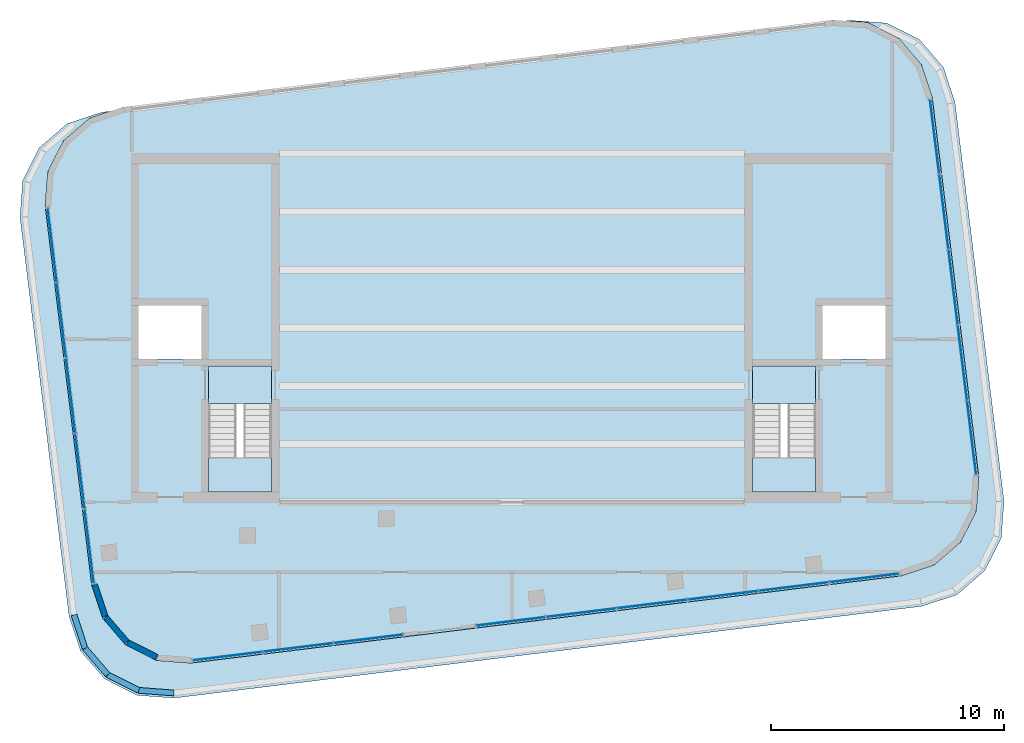
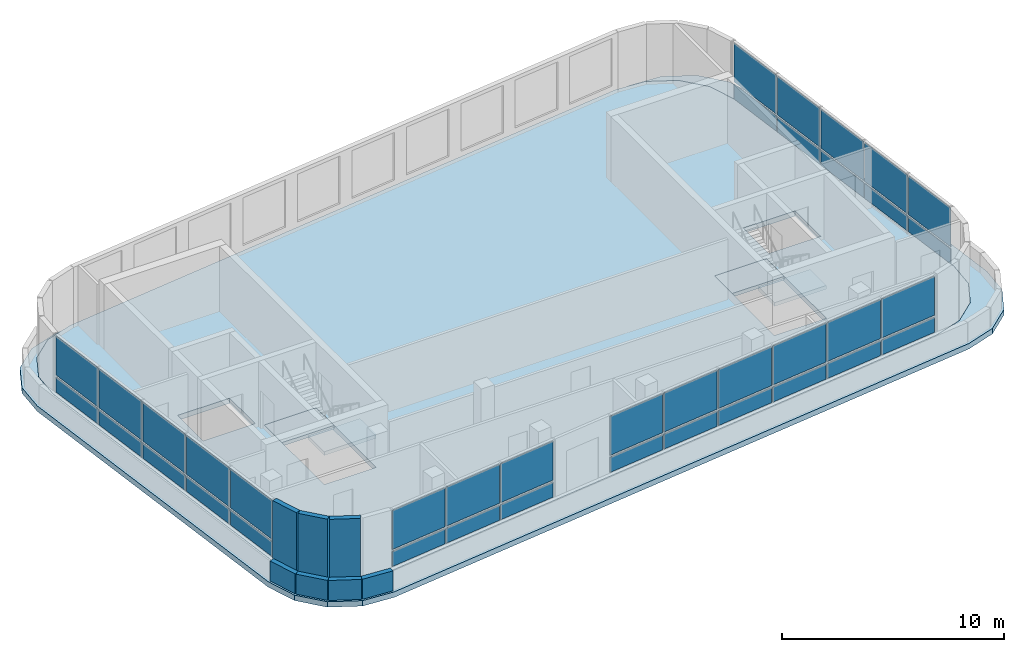
# One storey, part 3 of 7: 38 plates, 7 walls, 6 slabs, 6 elements without a shape of their own.
"""IFC4 building model written with IfcOpenShell, lengths in metres."""

import ifcopenshell
import ifcopenshell.guid

model = None  # the IFC model being written
_history = None  # IfcOwnerHistory: only IFC2X3 demands one
_inside = {}  # id of a spatial element -> (the spatial element, [elements in it])
_under = {}  # id of a project, library or spatial element -> (it, [spatial elements below it])
_declared = {}  # id of a project -> (the project, [libraries it declares])
_typed = {}  # id of a type object -> (the type object, [elements of that type])
_made_of = {}  # id of a material, layer set ... -> (it, [elements and type objects made of it])


def new_model(schema):
    """Start an empty IFC model of exactly this schema.

    Asked for "IFC4X3", IfcOpenShell would pick the latest addendum, in which some entities
    have other attributes; the version numbers below select the first issue.
    IFC2X3 requires an IfcOwnerHistory on every rooted entity: one is made here for all.
    """
    global model, _history
    if schema == "IFC4X3":
        model = ifcopenshell.file(schema_version=(4, 3, 0, 0))
    else:
        model = ifcopenshell.file(schema=schema)
    _inside.clear()
    _under.clear()
    _declared.clear()
    _typed.clear()
    _made_of.clear()
    _history = None
    if model.schema == "IFC2X3":
        org = make("IfcOrganization", Name="unknown")
        user = make(
            "IfcPersonAndOrganization",
            ThePerson=make("IfcPerson", FamilyName="unknown"),
            TheOrganization=org,
        )
        app = make(
            "IfcApplication",
            ApplicationDeveloper=org,
            Version="unknown",
            ApplicationFullName="unknown",
            ApplicationIdentifier="unknown",
        )
        _history = make(
            "IfcOwnerHistory",
            OwningUser=user,
            OwningApplication=app,
            ChangeAction="ADDED",
            CreationDate=0,
        )
    return model


def make(cls, **values):
    """One entity of the class cls with the attributes given. An attribute that is None is left unset."""
    return model.create_entity(
        cls, **{name: value for name, value in values.items() if value is not None}
    )


def rooted(cls, **values):
    """An entity with a GlobalId (a new one), such as an element, a storey or a relation."""
    return make(cls, GlobalId=ifcopenshell.guid.new(), OwnerHistory=_history, **values)


def si_unit(unit_type, name, prefix=None):
    """IfcSIUnit, for example si_unit("LENGTHUNIT", "METRE", prefix="MILLI")."""
    return make("IfcSIUnit", UnitType=unit_type, Prefix=prefix, Name=name)


def assignment(units):
    """IfcUnitAssignment: the units of a project."""
    return None if units is None else make("IfcUnitAssignment", Units=units)


def point(xyz):
    """IfcCartesianPoint."""
    return None if xyz is None else make("IfcCartesianPoint", Coordinates=xyz)


def direction(xyz):
    """IfcDirection."""
    return None if xyz is None else make("IfcDirection", DirectionRatios=xyz)


def frame(location, z_axis=None, x_axis=None):
    """IfcAxis2Placement3D, a coordinate frame: its origin and axes. An axis left out is left unset."""
    return make(
        "IfcAxis2Placement3D",
        Location=point(location),
        Axis=direction(z_axis),
        RefDirection=direction(x_axis),
    )


def frame_2d(location, x_axis=None):
    """IfcAxis2Placement2D, a coordinate frame in the plane: its origin and x axis."""
    return make(
        "IfcAxis2Placement2D", Location=point(location), RefDirection=direction(x_axis)
    )


def origin():
    """The frame at (0, 0, 0) with its axes left unset."""
    return frame((0.0, 0.0, 0.0))


def origin_2d():
    """The frame at (0, 0) in the plane with its x axis left unset."""
    return frame_2d((0.0, 0.0))


def place(relative_to, where):
    """IfcLocalPlacement: puts the frame where relative to a parent placement (None: the world)."""
    return make(
        "IfcLocalPlacement", PlacementRelTo=relative_to, RelativePlacement=where
    )


def context(
    kind, dimensions, precision=None, world=None, true_north=None, identifier=None
):
    """IfcGeometricRepresentationContext, for example the 3D "Model" context."""
    return make(
        "IfcGeometricRepresentationContext",
        ContextIdentifier=identifier,
        ContextType=kind,
        CoordinateSpaceDimension=dimensions,
        Precision=precision,
        WorldCoordinateSystem=world,
        TrueNorth=true_north,
    )


def subcontext(parent, identifier, kind, view, scale=None):
    """IfcGeometricRepresentationSubContext, for example "Body" below "Model"."""
    return make(
        "IfcGeometricRepresentationSubContext",
        ContextIdentifier=identifier,
        ContextType=kind,
        ParentContext=parent,
        TargetScale=scale,
        TargetView=view,
    )


def project(units=None, contexts=None):
    """IfcProject with its units and contexts."""
    return rooted(
        "IfcProject",
        Name="project",
        RepresentationContexts=contexts,
        UnitsInContext=assignment(units),
    )


def spatial(cls, under=None, at=None, **own):
    """A site, building, storey or space (cls), placed at a placement, below another one or the project."""
    s = rooted(cls, ObjectPlacement=at, **own)
    if under is not None:
        _under.setdefault(under.id(), (under, []))[1].append(s)
    return s


def polyline(points):
    """IfcPolyline through the points."""
    return make("IfcPolyline", Points=[point(p) for p in points])


def profile(cls, at=None, kind="AREA", **sizes):
    """A parametric profile (cls). Its sizes go by their IFC names, for example OverallWidth=200.0."""
    return make(cls, ProfileType=kind, Position=at, **sizes)


def rectangle(**sizes):
    """IfcRectangleProfileDef."""
    return profile("IfcRectangleProfileDef", **sizes)


def outline(outer, holes=None, kind="AREA"):
    """IfcArbitraryClosedProfileDef: a profile drawn as a closed curve; with holes, ...WithVoids."""
    if holes is None:
        return make("IfcArbitraryClosedProfileDef", ProfileType=kind, OuterCurve=outer)
    return make(
        "IfcArbitraryProfileDefWithVoids",
        ProfileType=kind,
        OuterCurve=outer,
        InnerCurves=holes,
    )


def extrude(swept, where, along, depth):
    """IfcExtrudedAreaSolid: the profile swept, set in the frame where, extruded along a direction by depth."""
    return make(
        "IfcExtrudedAreaSolid",
        SweptArea=swept,
        Position=where,
        ExtrudedDirection=direction(along),
        Depth=depth,
    )


def shape(context_of_items, identifier, shape_type, items):
    """IfcShapeRepresentation: the items that make up one representation, for example the "Body"."""
    return make(
        "IfcShapeRepresentation",
        ContextOfItems=context_of_items,
        RepresentationIdentifier=identifier,
        RepresentationType=shape_type,
        Items=items,
    )


def material(Name=None, Category=None):
    """IfcMaterial."""
    return make("IfcMaterial", Name=Name, Category=Category)


def layer(
    of_material, thickness, ventilated=None, Name=None, Category=None, Priority=None
):
    """IfcMaterialLayer: one layer of a wall or slab, of a material (None: an air gap)."""
    return make(
        "IfcMaterialLayer",
        Material=of_material,
        LayerThickness=thickness,
        IsVentilated=ventilated,
        Name=Name,
        Category=Category,
        Priority=Priority,
    )


def layer_set(layers, Name=None):
    """IfcMaterialLayerSet."""
    return make("IfcMaterialLayerSet", MaterialLayers=layers, LayerSetName=Name)


def made_of(thing, what):
    """Note that an element or type object is made of a material, layer set ...; save() writes the relation."""
    if what is not None:
        _made_of.setdefault(what.id(), (what, []))[1].append(thing)
    return thing


def type_object(cls, material=None, **own):
    """A type object (cls), such as IfcWallType, which elements share."""
    return made_of(rooted(cls, **own), material)


def element(
    cls,
    number,
    at=None,
    inside=None,
    cuts=None,
    type_object=None,
    material=None,
    context=None,
    identifier="Body",
    shape_type=None,
    held_by="IfcProductDefinitionShape",
    body=None,
    shapes=None,
    **own,
):
    """One element of the class cls, such as IfcWall. Its Tag is "e" and its number.

    at: its placement. inside: the storey or other place that contains it. cuts: it is an
    opening in that element (IfcRelVoidsElement). A single representation is given by context,
    identifier, shape_type and body (its items); several are given by shapes. held_by: the class
    of the entity that holds the representations. save() writes the other relations.
    """
    e = rooted(cls, Tag="e%d" % number, ObjectPlacement=at, **own)
    if body is not None:
        shapes = [shape(context, identifier, shape_type, body)]
    if shapes is not None:
        e.Representation = make(held_by, Representations=shapes)
    if inside is not None:
        _inside.setdefault(inside.id(), (inside, []))[1].append(e)
    if cuts is not None:
        rooted(
            "IfcRelVoidsElement", RelatingBuildingElement=cuts, RelatedOpeningElement=e
        )
    if type_object is not None:
        _typed.setdefault(type_object.id(), (type_object, []))[1].append(e)
    return made_of(e, material)


def aggregate(whole, parts):
    """IfcRelAggregates: a whole, such as a stair, and the parts it consists of."""
    return rooted("IfcRelAggregates", RelatingObject=whole, RelatedObjects=parts)


def save(model, path):
    """Write the relations noted so far, then the file.

    IfcRelAggregates (storeys below a building ...), IfcRelContainedInSpatialStructure (elements
    in a storey), IfcRelDefinesByType, IfcRelAssociatesMaterial and IfcRelDeclares: one each for
    every whole, place, type object, material and project.
    """
    for whole, parts in _under.values():
        aggregate(whole, parts)
    for where, things in _inside.values():
        rooted(
            "IfcRelContainedInSpatialStructure",
            RelatedElements=things,
            RelatingStructure=where,
        )
    for kind, things in _typed.values():
        rooted("IfcRelDefinesByType", RelatedObjects=things, RelatingType=kind)
    for what, things in _made_of.values():
        rooted("IfcRelAssociatesMaterial", RelatedObjects=things, RelatingMaterial=what)
    for by, libraries in _declared.values():
        rooted("IfcRelDeclares", RelatingContext=by, RelatedDefinitions=libraries)
    model.write(path)


model = new_model("IFC4")

# Units and contexts
model_context = context("Model", 3, precision=1e-05, world=origin(), true_north=direction((0.0, 1.0)))
body_context = subcontext(model_context, "Body", "Model", "MODEL_VIEW")
ifc_project = project(units=[si_unit("LENGTHUNIT", "METRE"), si_unit("AREAUNIT", "SQUARE_METRE"), si_unit("VOLUMEUNIT", "CUBIC_METRE"), si_unit("PLANEANGLEUNIT", "RADIAN"), si_unit("MASSUNIT", "GRAM", prefix="KILO")], contexts=[model_context])

# Site, building, storey
site_placement = place(None, origin())
site = spatial("IfcSite", under=ifc_project, at=site_placement, CompositionType="ELEMENT")
building_placement = place(site_placement, origin())
building = spatial("IfcBuilding", under=site, at=building_placement, Name="Torana Hotel and Residences", CompositionType="ELEMENT")
storey_placement = place(building_placement, frame((0.0, 0.0, 353.800048828125)))
storey = spatial("IfcBuildingStorey", under=building, at=storey_placement, Name="C3", CompositionType="ELEMENT", Elevation=353.800048828125)

# Curtain wall, plates
ifc_material_1 = material(Name="Dark anodised aluminium", Category="aluminium")
ifc_layer_1 = layer(ifc_material_1, 0.199951171875)
ifc_layer_set_1 = layer_set([ifc_layer_1], Name="CW4 CROWN TERRACE GLAZING CURTAIN WALL")
curtain_wall_type = type_object("IfcCurtainWallType", Name="CW4 CROWN TERRACE GLAZING CURTAIN WALL", PredefinedType="NOTDEFINED", material=ifc_layer_set_1)
curtain_wall_1_placement = place(storey_placement, origin())
curtain_wall_1 = element("IfcCurtainWall", 1, at=curtain_wall_1_placement, inside=storey, type_object=curtain_wall_type, Name="Curtain wall CW4 C3 e0.9", PredefinedType="NOTDEFINED")
ifc_material_2 = material(Name="Glass dark tinted laminated glass", Category="glass")
ifc_layer_2 = layer(ifc_material_2, 0.02197265625)
ifc_layer_set_2 = layer_set([ifc_layer_2], Name="CW4 DARK GLASS PANEL 22")
plate_type = type_object("IfcPlateType", Name="CW4 DARK GLASS PANEL 22", PredefinedType="CURTAIN_PANEL", material=ifc_layer_set_2)
plate_1_placement = place(storey_placement, frame((-19.762939453125, -3.945556640625, 0.1201171875), z_axis=(0.0, 0.0, 1.0), x_axis=(0.121867191327, -0.992546415881, 0.0)))
plate_1 = element("IfcPlate", 2, at=plate_1_placement, type_object=plate_type, Name="CW4 panel 1.1", PredefinedType="CURTAIN_PANEL", context=body_context, shape_type="SweptSolid", body=[
    extrude(rectangle(XDim=3.163818359375, YDim=0.02197265625, at=origin_2d()), origin(), (0.0, 0.0, 1.0), 0.820068359375),
])
plate_2_placement = place(storey_placement, frame((-19.762939453125, -3.945556640625, 1.06005859375), z_axis=(0.0, 0.0, 1.0), x_axis=(0.121867191327, -0.992546415881, 0.0)))
plate_2 = element("IfcPlate", 3, at=plate_2_placement, type_object=plate_type, Name="CW4 panel 1.2", PredefinedType="CURTAIN_PANEL", context=body_context, shape_type="SweptSolid", body=[
    extrude(rectangle(XDim=3.163818359375, YDim=0.02197265625, at=origin_2d()), origin(), (0.0, 0.0, 1.0), 2.139892578125),
])
plate_3_placement = place(storey_placement, frame((-19.36669921875, -7.172607421875, 0.1201171875), z_axis=(0.0, 0.0, 1.0), x_axis=(0.121867191327, -0.992546415881, 0.0)))
plate_3 = element("IfcPlate", 4, at=plate_3_placement, type_object=plate_type, Name="CW4 panel 2.1", PredefinedType="CURTAIN_PANEL", context=body_context, shape_type="SweptSolid", body=[
    extrude(rectangle(XDim=3.19873046875, YDim=0.02197265625, at=origin_2d()), origin(), (0.0, 0.0, 1.0), 0.820068359375),
])
plate_4_placement = place(storey_placement, frame((-19.36669921875, -7.172607421875, 1.06005859375), z_axis=(0.0, 0.0, 1.0), x_axis=(0.121867191327, -0.992546415881, 0.0)))
plate_4 = element("IfcPlate", 5, at=plate_4_placement, type_object=plate_type, Name="CW4 panel 2.2", PredefinedType="CURTAIN_PANEL", context=body_context, shape_type="SweptSolid", body=[
    extrude(rectangle(XDim=3.19873046875, YDim=0.02197265625, at=origin_2d()), origin(), (0.0, 0.0, 1.0), 2.139892578125),
])
plate_5_placement = place(storey_placement, frame((-18.96826171875, -10.4169921875, 0.1201171875), z_axis=(0.0, 0.0, 1.0), x_axis=(0.121867191327, -0.992546415881, 0.0)))
plate_5 = element("IfcPlate", 6, at=plate_5_placement, type_object=plate_type, Name="CW4 panel 3.1", PredefinedType="CURTAIN_PANEL", context=body_context, shape_type="SweptSolid", body=[
    extrude(rectangle(XDim=3.19873046875, YDim=0.02197265625, at=origin_2d()), origin(), (0.0, 0.0, 1.0), 0.820068359375),
])
plate_6_placement = place(storey_placement, frame((-18.96826171875, -10.4169921875, 1.06005859375), z_axis=(0.0, 0.0, 1.0), x_axis=(0.121867191327, -0.992546415881, 0.0)))
plate_6 = element("IfcPlate", 7, at=plate_6_placement, type_object=plate_type, Name="CW4 panel 3.2", PredefinedType="CURTAIN_PANEL", context=body_context, shape_type="SweptSolid", body=[
    extrude(rectangle(XDim=3.19873046875, YDim=0.02197265625, at=origin_2d()), origin(), (0.0, 0.0, 1.0), 2.139892578125),
])
plate_7_placement = place(storey_placement, frame((-18.56982421875, -13.661376953125, 0.1201171875), z_axis=(0.0, 0.0, 1.0), x_axis=(0.121867191327, -0.992546415881, 0.0)))
plate_7 = element("IfcPlate", 8, at=plate_7_placement, type_object=plate_type, Name="CW4 panel 4.1", PredefinedType="CURTAIN_PANEL", context=body_context, shape_type="SweptSolid", body=[
    extrude(rectangle(XDim=3.19873046875, YDim=0.02197265625, at=origin_2d()), origin(), (0.0, 0.0, 1.0), 0.820068359375),
])
plate_8_placement = place(storey_placement, frame((-18.56982421875, -13.661376953125, 1.06005859375), z_axis=(0.0, 0.0, 1.0), x_axis=(0.121867191327, -0.992546415881, 0.0)))
plate_8 = element("IfcPlate", 9, at=plate_8_placement, type_object=plate_type, Name="CW4 panel 4.2", PredefinedType="CURTAIN_PANEL", context=body_context, shape_type="SweptSolid", body=[
    extrude(rectangle(XDim=3.19873046875, YDim=0.02197265625, at=origin_2d()), origin(), (0.0, 0.0, 1.0), 2.139892578125),
])
plate_9_placement = place(storey_placement, frame((-18.173828125, -16.888427734375, 0.1201171875), z_axis=(0.0, 0.0, 1.0), x_axis=(0.121867191327, -0.992546415881, 0.0)))
plate_9 = element("IfcPlate", 10, at=plate_9_placement, type_object=plate_type, Name="CW4 panel 5.1", PredefinedType="CURTAIN_PANEL", context=body_context, shape_type="SweptSolid", body=[
    extrude(rectangle(XDim=3.163818359375, YDim=0.02197265625, at=origin_2d()), origin(), (0.0, 0.0, 1.0), 0.820068359375),
])
plate_10_placement = place(storey_placement, frame((-18.173828125, -16.888427734375, 1.06005859375), z_axis=(0.0, 0.0, 1.0), x_axis=(0.121867191327, -0.992546415881, 0.0)))
plate_10 = element("IfcPlate", 11, at=plate_10_placement, type_object=plate_type, Name="CW4 panel 5.2", PredefinedType="CURTAIN_PANEL", context=body_context, shape_type="SweptSolid", body=[
    extrude(rectangle(XDim=3.163818359375, YDim=0.02197265625, at=origin_2d()), origin(), (0.0, 0.0, 1.0), 2.139892578125),
])
aggregate(curtain_wall_1, [plate_1, plate_2, plate_3, plate_4, plate_5, plate_6, plate_7, plate_8, plate_9, plate_10])

curtain_wall_2_placement = place(storey_placement, origin())
curtain_wall_2 = element("IfcCurtainWall", 12, at=curtain_wall_2_placement, inside=storey, type_object=curtain_wall_type, Name="Curtain wall CW4 C3 e0.14-1", PredefinedType="NOTDEFINED")
plate_11_placement = place(storey_placement, frame((-12.234375, -21.618408203125, 0.1201171875), z_axis=(0.0, 0.0, 1.0), x_axis=(0.992547212698, 0.121860701481, 0.0)))
plate_11 = element("IfcPlate", 13, at=plate_11_placement, type_object=plate_type, Name="CW4 panel 1.1", PredefinedType="CURTAIN_PANEL", context=body_context, shape_type="SweptSolid", body=[
    extrude(rectangle(XDim=2.9638671875, YDim=0.02197265625, at=origin_2d()), origin(), (0.0, 0.0, 1.0), 0.820068359375),
])
plate_12_placement = place(storey_placement, frame((-12.234375, -21.618408203125, 1.06005859375), z_axis=(0.0, 0.0, 1.0), x_axis=(0.992547212698, 0.121860701481, 0.0)))
plate_12 = element("IfcPlate", 14, at=plate_12_placement, type_object=plate_type, Name="CW4 panel 1.2", PredefinedType="CURTAIN_PANEL", context=body_context, shape_type="SweptSolid", body=[
    extrude(rectangle(XDim=2.9638671875, YDim=0.02197265625, at=origin_2d()), origin(), (0.0, 0.0, 1.0), 2.139892578125),
])
plate_13_placement = place(storey_placement, frame((-9.205810546875, -21.24658203125, 0.1201171875), z_axis=(0.0, 0.0, 1.0), x_axis=(0.992547212698, 0.121860701481, 0.0)))
plate_13 = element("IfcPlate", 15, at=plate_13_placement, type_object=plate_type, Name="CW4 panel 2.1", PredefinedType="CURTAIN_PANEL", context=body_context, shape_type="SweptSolid", body=[
    extrude(rectangle(XDim=2.998779296875, YDim=0.02197265625, at=origin_2d()), origin(), (0.0, 0.0, 1.0), 0.820068359375),
])
plate_14_placement = place(storey_placement, frame((-9.205810546875, -21.24658203125, 1.06005859375), z_axis=(0.0, 0.0, 1.0), x_axis=(0.992547212698, 0.121860701481, 0.0)))
plate_14 = element("IfcPlate", 16, at=plate_14_placement, type_object=plate_type, Name="CW4 panel 2.2", PredefinedType="CURTAIN_PANEL", context=body_context, shape_type="SweptSolid", body=[
    extrude(rectangle(XDim=2.998779296875, YDim=0.02197265625, at=origin_2d()), origin(), (0.0, 0.0, 1.0), 2.139892578125),
])
plate_15_placement = place(storey_placement, frame((-6.17724609375, -20.874755859375, 0.1201171875), z_axis=(0.0, 0.0, 1.0), x_axis=(0.992547212698, 0.121860701481, 0.0)))
plate_15 = element("IfcPlate", 17, at=plate_15_placement, type_object=plate_type, Name="CW4 panel 3.1", PredefinedType="CURTAIN_PANEL", context=body_context, shape_type="SweptSolid", body=[
    extrude(rectangle(XDim=2.9638671875, YDim=0.02197265625, at=origin_2d()), origin(), (0.0, 0.0, 1.0), 0.820068359375),
])
plate_16_placement = place(storey_placement, frame((-6.17724609375, -20.874755859375, 1.06005859375), z_axis=(0.0, 0.0, 1.0), x_axis=(0.992547212698, 0.121860701481, 0.0)))
plate_16 = element("IfcPlate", 18, at=plate_16_placement, type_object=plate_type, Name="CW4 panel 3.2", PredefinedType="CURTAIN_PANEL", context=body_context, shape_type="SweptSolid", body=[
    extrude(rectangle(XDim=2.9638671875, YDim=0.02197265625, at=origin_2d()), origin(), (0.0, 0.0, 1.0), 2.139892578125),
])
aggregate(curtain_wall_2, [plate_11, plate_12, plate_13, plate_14, plate_15, plate_16])

curtain_wall_3_placement = place(storey_placement, origin())
curtain_wall_3 = element("IfcCurtainWall", 19, at=curtain_wall_3_placement, inside=storey, type_object=curtain_wall_type, Name="Curtain wall CW4 C3 e0.14-2", PredefinedType="NOTDEFINED")
plate_17_placement = place(storey_placement, frame((-0.050537109375, -20.12255859375, 0.1201171875), z_axis=(0.0, 0.0, 1.0), x_axis=(0.99254663645, 0.121865394893, 0.0)))
plate_17 = element("IfcPlate", 20, at=plate_17_placement, type_object=plate_type, Name="CW4 panel 1.1", PredefinedType="CURTAIN_PANEL", context=body_context, shape_type="SweptSolid", body=[
    extrude(rectangle(XDim=2.9638671875, YDim=0.02197265625, at=origin_2d()), origin(), (0.0, 0.0, 1.0), 0.820068359375),
])
plate_18_placement = place(storey_placement, frame((-0.050537109375, -20.12255859375, 1.06005859375), z_axis=(0.0, 0.0, 1.0), x_axis=(0.99254663645, 0.121865394893, 0.0)))
plate_18 = element("IfcPlate", 21, at=plate_18_placement, type_object=plate_type, Name="CW4 panel 1.2", PredefinedType="CURTAIN_PANEL", context=body_context, shape_type="SweptSolid", body=[
    extrude(rectangle(XDim=2.9638671875, YDim=0.02197265625, at=origin_2d()), origin(), (0.0, 0.0, 1.0), 2.139892578125),
])
plate_19_placement = place(storey_placement, frame((2.97802734375, -19.750732421875, 0.1201171875), z_axis=(0.0, 0.0, 1.0), x_axis=(0.99254663645, 0.121865394893, 0.0)))
plate_19 = element("IfcPlate", 22, at=plate_19_placement, type_object=plate_type, Name="CW4 panel 2.1", PredefinedType="CURTAIN_PANEL", context=body_context, shape_type="SweptSolid", body=[
    extrude(rectangle(XDim=2.998779296875, YDim=0.02197265625, at=origin_2d()), origin(), (0.0, 0.0, 1.0), 0.820068359375),
])
plate_20_placement = place(storey_placement, frame((2.97802734375, -19.750732421875, 1.06005859375), z_axis=(0.0, 0.0, 1.0), x_axis=(0.99254663645, 0.121865394893, 0.0)))
plate_20 = element("IfcPlate", 23, at=plate_20_placement, type_object=plate_type, Name="CW4 panel 2.2", PredefinedType="CURTAIN_PANEL", context=body_context, shape_type="SweptSolid", body=[
    extrude(rectangle(XDim=2.998779296875, YDim=0.02197265625, at=origin_2d()), origin(), (0.0, 0.0, 1.0), 2.139892578125),
])
plate_21_placement = place(storey_placement, frame((6.02392578125, -19.376708984375, 0.1201171875), z_axis=(0.0, 0.0, 1.0), x_axis=(0.99254663645, 0.121865394893, 0.0)))
plate_21 = element("IfcPlate", 24, at=plate_21_placement, type_object=plate_type, Name="CW4 panel 3.1", PredefinedType="CURTAIN_PANEL", context=body_context, shape_type="SweptSolid", body=[
    extrude(rectangle(XDim=2.998779296875, YDim=0.02197265625, at=origin_2d()), origin(), (0.0, 0.0, 1.0), 0.820068359375),
])
plate_22_placement = place(storey_placement, frame((6.02392578125, -19.376708984375, 1.06005859375), z_axis=(0.0, 0.0, 1.0), x_axis=(0.99254663645, 0.121865394893, 0.0)))
plate_22 = element("IfcPlate", 25, at=plate_22_placement, type_object=plate_type, Name="CW4 panel 3.2", PredefinedType="CURTAIN_PANEL", context=body_context, shape_type="SweptSolid", body=[
    extrude(rectangle(XDim=2.998779296875, YDim=0.02197265625, at=origin_2d()), origin(), (0.0, 0.0, 1.0), 2.139892578125),
])
plate_23_placement = place(storey_placement, frame((9.06982421875, -19.002685546875, 0.1201171875), z_axis=(0.0, 0.0, 1.0), x_axis=(0.99254663645, 0.121865394893, 0.0)))
plate_23 = element("IfcPlate", 26, at=plate_23_placement, type_object=plate_type, Name="CW4 panel 4.1", PredefinedType="CURTAIN_PANEL", context=body_context, shape_type="SweptSolid", body=[
    extrude(rectangle(XDim=2.998779296875, YDim=0.02197265625, at=origin_2d()), origin(), (0.0, 0.0, 1.0), 0.820068359375),
])
plate_24_placement = place(storey_placement, frame((9.06982421875, -19.002685546875, 1.06005859375), z_axis=(0.0, 0.0, 1.0), x_axis=(0.99254663645, 0.121865394893, 0.0)))
plate_24 = element("IfcPlate", 27, at=plate_24_placement, type_object=plate_type, Name="CW4 panel 4.2", PredefinedType="CURTAIN_PANEL", context=body_context, shape_type="SweptSolid", body=[
    extrude(rectangle(XDim=2.998779296875, YDim=0.02197265625, at=origin_2d()), origin(), (0.0, 0.0, 1.0), 2.139892578125),
])
plate_25_placement = place(storey_placement, frame((12.11572265625, -18.628662109375, 0.1201171875), z_axis=(0.0, 0.0, 1.0), x_axis=(0.99254663645, 0.121865394893, 0.0)))
plate_25 = element("IfcPlate", 28, at=plate_25_placement, type_object=plate_type, Name="CW4 panel 5.1", PredefinedType="CURTAIN_PANEL", context=body_context, shape_type="SweptSolid", body=[
    extrude(rectangle(XDim=2.998779296875, YDim=0.02197265625, at=origin_2d()), origin(), (0.0, 0.0, 1.0), 0.820068359375),
])
plate_26_placement = place(storey_placement, frame((12.11572265625, -18.628662109375, 1.06005859375), z_axis=(0.0, 0.0, 1.0), x_axis=(0.99254663645, 0.121865394893, 0.0)))
plate_26 = element("IfcPlate", 29, at=plate_26_placement, type_object=plate_type, Name="CW4 panel 5.2", PredefinedType="CURTAIN_PANEL", context=body_context, shape_type="SweptSolid", body=[
    extrude(rectangle(XDim=2.998779296875, YDim=0.02197265625, at=origin_2d()), origin(), (0.0, 0.0, 1.0), 2.139892578125),
])
plate_27_placement = place(storey_placement, frame((15.144287109375, -18.2568359375, 0.1201171875), z_axis=(0.0, 0.0, 1.0), x_axis=(0.99254663645, 0.121865394893, 0.0)))
plate_27 = element("IfcPlate", 30, at=plate_27_placement, type_object=plate_type, Name="CW4 panel 6.1", PredefinedType="CURTAIN_PANEL", context=body_context, shape_type="SweptSolid", body=[
    extrude(rectangle(XDim=2.9638671875, YDim=0.02197265625, at=origin_2d()), origin(), (0.0, 0.0, 1.0), 0.820068359375),
])
plate_28_placement = place(storey_placement, frame((15.144287109375, -18.2568359375, 1.06005859375), z_axis=(0.0, 0.0, 1.0), x_axis=(0.99254663645, 0.121865394893, 0.0)))
plate_28 = element("IfcPlate", 31, at=plate_28_placement, type_object=plate_type, Name="CW4 panel 6.2", PredefinedType="CURTAIN_PANEL", context=body_context, shape_type="SweptSolid", body=[
    extrude(rectangle(XDim=2.9638671875, YDim=0.02197265625, at=origin_2d()), origin(), (0.0, 0.0, 1.0), 2.139892578125),
])
aggregate(curtain_wall_3, [plate_17, plate_18, plate_19, plate_20, plate_21, plate_22, plate_23, plate_24, plate_25, plate_26, plate_27, plate_28])

curtain_wall_4_placement = place(storey_placement, origin())
curtain_wall_4 = element("IfcCurtainWall", 32, at=curtain_wall_4_placement, inside=storey, type_object=curtain_wall_type, Name="Curtain wall CW4 C3 e0.19", PredefinedType="NOTDEFINED")
plate_29_placement = place(storey_placement, frame((19.762939453125, -12.23046875, 0.1201171875), z_axis=(0.0, 0.0, 1.0), x_axis=(-0.121867191327, 0.992546415881, 0.0)))
plate_29 = element("IfcPlate", 33, at=plate_29_placement, type_object=plate_type, Name="CW4 panel 1.1", PredefinedType="CURTAIN_PANEL", context=body_context, shape_type="SweptSolid", body=[
    extrude(rectangle(XDim=3.163818359375, YDim=0.02197265625, at=origin_2d()), origin(), (0.0, 0.0, 1.0), 0.820068359375),
])
plate_30_placement = place(storey_placement, frame((19.762939453125, -12.23046875, 1.06005859375), z_axis=(0.0, 0.0, 1.0), x_axis=(-0.121867191327, 0.992546415881, 0.0)))
plate_30 = element("IfcPlate", 34, at=plate_30_placement, type_object=plate_type, Name="CW4 panel 1.2", PredefinedType="CURTAIN_PANEL", context=body_context, shape_type="SweptSolid", body=[
    extrude(rectangle(XDim=3.163818359375, YDim=0.02197265625, at=origin_2d()), origin(), (0.0, 0.0, 1.0), 2.139892578125),
])
plate_31_placement = place(storey_placement, frame((19.36669921875, -9.00341796875, 0.1201171875), z_axis=(0.0, 0.0, 1.0), x_axis=(-0.121867191327, 0.992546415881, 0.0)))
plate_31 = element("IfcPlate", 35, at=plate_31_placement, type_object=plate_type, Name="CW4 panel 2.1", PredefinedType="CURTAIN_PANEL", context=body_context, shape_type="SweptSolid", body=[
    extrude(rectangle(XDim=3.19873046875, YDim=0.02197265625, at=origin_2d()), origin(), (0.0, 0.0, 1.0), 0.820068359375),
])
plate_32_placement = place(storey_placement, frame((19.36669921875, -9.00341796875, 1.06005859375), z_axis=(0.0, 0.0, 1.0), x_axis=(-0.121867191327, 0.992546415881, 0.0)))
plate_32 = element("IfcPlate", 36, at=plate_32_placement, type_object=plate_type, Name="CW4 panel 2.2", PredefinedType="CURTAIN_PANEL", context=body_context, shape_type="SweptSolid", body=[
    extrude(rectangle(XDim=3.19873046875, YDim=0.02197265625, at=origin_2d()), origin(), (0.0, 0.0, 1.0), 2.139892578125),
])
plate_33_placement = place(storey_placement, frame((18.96826171875, -5.7587890625, 0.1201171875), z_axis=(0.0, 0.0, 1.0), x_axis=(-0.121867191327, 0.992546415881, 0.0)))
plate_33 = element("IfcPlate", 37, at=plate_33_placement, type_object=plate_type, Name="CW4 panel 3.1", PredefinedType="CURTAIN_PANEL", context=body_context, shape_type="SweptSolid", body=[
    extrude(rectangle(XDim=3.19873046875, YDim=0.02197265625, at=origin_2d()), origin(), (0.0, 0.0, 1.0), 0.820068359375),
])
plate_34_placement = place(storey_placement, frame((18.96826171875, -5.7587890625, 1.06005859375), z_axis=(0.0, 0.0, 1.0), x_axis=(-0.121867191327, 0.992546415881, 0.0)))
plate_34 = element("IfcPlate", 38, at=plate_34_placement, type_object=plate_type, Name="CW4 panel 3.2", PredefinedType="CURTAIN_PANEL", context=body_context, shape_type="SweptSolid", body=[
    extrude(rectangle(XDim=3.19873046875, YDim=0.02197265625, at=origin_2d()), origin(), (0.0, 0.0, 1.0), 2.139892578125),
])
plate_35_placement = place(storey_placement, frame((18.56982421875, -2.514404296875, 0.1201171875), z_axis=(0.0, 0.0, 1.0), x_axis=(-0.121867191327, 0.992546415881, 0.0)))
plate_35 = element("IfcPlate", 39, at=plate_35_placement, type_object=plate_type, Name="CW4 panel 4.1", PredefinedType="CURTAIN_PANEL", context=body_context, shape_type="SweptSolid", body=[
    extrude(rectangle(XDim=3.19873046875, YDim=0.02197265625, at=origin_2d()), origin(), (0.0, 0.0, 1.0), 0.820068359375),
])
plate_36_placement = place(storey_placement, frame((18.56982421875, -2.514404296875, 1.06005859375), z_axis=(0.0, 0.0, 1.0), x_axis=(-0.121867191327, 0.992546415881, 0.0)))
plate_36 = element("IfcPlate", 40, at=plate_36_placement, type_object=plate_type, Name="CW4 panel 4.2", PredefinedType="CURTAIN_PANEL", context=body_context, shape_type="SweptSolid", body=[
    extrude(rectangle(XDim=3.19873046875, YDim=0.02197265625, at=origin_2d()), origin(), (0.0, 0.0, 1.0), 2.139892578125),
])
plate_37_placement = place(storey_placement, frame((18.173828125, 0.712646484375, 0.1201171875), z_axis=(0.0, 0.0, 1.0), x_axis=(-0.121867191327, 0.992546415881, 0.0)))
plate_37 = element("IfcPlate", 41, at=plate_37_placement, type_object=plate_type, Name="CW4 panel 5.1", PredefinedType="CURTAIN_PANEL", context=body_context, shape_type="SweptSolid", body=[
    extrude(rectangle(XDim=3.163818359375, YDim=0.02197265625, at=origin_2d()), origin(), (0.0, 0.0, 1.0), 0.820068359375),
])
plate_38_placement = place(storey_placement, frame((18.173828125, 0.712646484375, 1.06005859375), z_axis=(0.0, 0.0, 1.0), x_axis=(-0.121867191327, 0.992546415881, 0.0)))
plate_38 = element("IfcPlate", 42, at=plate_38_placement, type_object=plate_type, Name="CW4 panel 5.2", PredefinedType="CURTAIN_PANEL", context=body_context, shape_type="SweptSolid", body=[
    extrude(rectangle(XDim=3.163818359375, YDim=0.02197265625, at=origin_2d()), origin(), (0.0, 0.0, 1.0), 2.139892578125),
])
aggregate(curtain_wall_4, [plate_29, plate_30, plate_31, plate_32, plate_33, plate_34, plate_35, plate_36, plate_37, plate_38])

# Slab
ifc_material_3 = material(Name="Concrete C40/50", Category="concrete")
ifc_layer_3 = layer(ifc_material_3, 0.280029296875)
ifc_layer_set_3 = layer_set([ifc_layer_3], Name="FLOOR SLAB PT 280")
slab_type_1 = type_object("IfcSlabType", Name="FLOOR SLAB PT 280", PredefinedType="FLOOR", material=ifc_layer_set_3)
slab_1_placement = place(storey_placement, frame((0.0, 0.0, -0.280029296875)))
element("IfcSlab", 43, at=slab_1_placement, inside=storey, type_object=slab_type_1, Name="Floor slab", PredefinedType="FLOOR", context=body_context, shape_type="SweptSolid", body=[
    extrude(outline(polyline([(18.068603515625, 2.388916015625), (17.599365234375, 3.8125), (16.62060546875, 4.9482421875), (15.281982421875, 5.623046875), (13.787109375, 5.73388671875), (-16.72119140625, 1.98828125), (-18.14501953125, 1.518798828125), (-19.28076171875, 0.5400390625), (-19.955322265625, -0.798583984375), (-20.06640625, -2.293701171875), (-18.068603515625, -18.564697265625), (-17.599365234375, -19.98828125), (-16.62060546875, -21.1240234375), (-15.281982421875, -21.798828125), (-13.787109375, -21.909912109375), (16.72119140625, -18.1640625), (18.14501953125, -17.694580078125), (19.28076171875, -16.716064453125), (19.955322265625, -15.377197265625), (20.06640625, -13.88232421875), (18.068603515625, 2.388916015625)]), holes=[polyline([(-13.050048828125, -14.550048828125), (-10.35009765625, -14.550048828125), (-10.35009765625, -9.14990234375), (-13.050048828125, -9.14990234375), (-13.050048828125, -14.550048828125)]), polyline([(-16.050048828125, -8.85009765625), (-13.35009765625, -8.85009765625), (-13.35009765625, -6.550048828125), (-16.050048828125, -6.550048828125), (-16.050048828125, -8.85009765625)]), polyline([(10.35009765625, -14.550048828125), (13.050048828125, -14.550048828125), (13.050048828125, -9.14990234375), (10.35009765625, -9.14990234375), (10.35009765625, -14.550048828125)]), polyline([(13.35009765625, -8.85009765625), (16.050048828125, -8.85009765625), (16.050048828125, -6.550048828125), (13.35009765625, -6.550048828125), (13.35009765625, -8.85009765625)])]), origin(), (0.0, 0.0, 1.0), 0.280029296875),
])

# Stair, slabs
ifc_material_4 = material(Name="Concrete C40/50 precast", Category="concrete")
stair_type_1 = type_object("IfcStairType", Name="STAIR ST1 HALF TURN 1200", PredefinedType="HALF_TURN_STAIR", material=ifc_material_4)
stair_1_placement = place(storey_placement, origin())
stair_1 = element("IfcStair", 44, at=stair_1_placement, inside=storey, type_object=stair_type_1, Name="Stair ST1 C3", PredefinedType="HALF_TURN_STAIR")
ifc_material_5 = material(Name="Concrete C40/50 precast", Category="concrete")
ifc_layer_4 = layer(ifc_material_5, 0.199951171875)
ifc_layer_set_4 = layer_set([ifc_layer_4], Name="STAIR LANDING 200")
slab_type_2 = type_object("IfcSlabType", Name="STAIR LANDING 200", PredefinedType="LANDING", material=ifc_layer_set_4)
slab_2_placement = place(storey_placement, frame((0.0, 0.0, 1.599853515625)))
slab_2 = element("IfcSlab", 45, at=slab_2_placement, type_object=slab_type_2, Name="ST1 landing 1", PredefinedType="LANDING", context=body_context, shape_type="SweptSolid", body=[
    extrude(outline(polyline([(-13.050048828125, -14.550048828125), (-10.35009765625, -14.550048828125), (-10.35009765625, -13.090087890625), (-13.050048828125, -13.090087890625), (-13.050048828125, -14.550048828125)])), origin(), (0.0, 0.0, 1.0), 0.2001953125),
])
slab_3_placement = place(storey_placement, frame((0.0, 0.0, -0.199951171875)))
slab_3 = element("IfcSlab", 46, at=slab_3_placement, type_object=slab_type_2, Name="ST1 landing 2", PredefinedType="LANDING", context=body_context, shape_type="SweptSolid", body=[
    extrude(outline(polyline([(-13.050048828125, -10.75), (-10.35009765625, -10.75), (-10.35009765625, -9.14990234375), (-13.050048828125, -9.14990234375), (-13.050048828125, -10.75)])), origin(), (0.0, 0.0, 1.0), 0.199951171875),
])
aggregate(stair_1, [slab_2, slab_3])

ifc_material_6 = material(Name="Concrete C40/50 precast", Category="concrete")
stair_type_2 = type_object("IfcStairType", Name="STAIR ST3 HALF TURN 1200", PredefinedType="HALF_TURN_STAIR", material=ifc_material_6)
stair_2_placement = place(storey_placement, origin())
stair_2 = element("IfcStair", 47, at=stair_2_placement, inside=storey, type_object=stair_type_2, Name="Stair ST3 C3", PredefinedType="HALF_TURN_STAIR")
slab_4_placement = place(storey_placement, frame((0.0, 0.0, 1.599853515625)))
slab_4 = element("IfcSlab", 48, at=slab_4_placement, type_object=slab_type_2, Name="ST3 landing 1", PredefinedType="LANDING", context=body_context, shape_type="SweptSolid", body=[
    extrude(outline(polyline([(10.35009765625, -14.550048828125), (13.050048828125, -14.550048828125), (13.050048828125, -13.090087890625), (10.35009765625, -13.090087890625), (10.35009765625, -14.550048828125)])), origin(), (0.0, 0.0, 1.0), 0.2001953125),
])
slab_5_placement = place(storey_placement, frame((0.0, 0.0, -0.199951171875)))
slab_5 = element("IfcSlab", 49, at=slab_5_placement, type_object=slab_type_2, Name="ST3 landing 2", PredefinedType="LANDING", context=body_context, shape_type="SweptSolid", body=[
    extrude(outline(polyline([(10.35009765625, -10.75), (13.050048828125, -10.75), (13.050048828125, -9.14990234375), (10.35009765625, -9.14990234375), (10.35009765625, -10.75)])), origin(), (0.0, 0.0, 1.0), 0.199951171875),
])
aggregate(stair_2, [slab_4, slab_5])

# Slab
ifc_material_7 = material(Name="Concrete C40/50", Category="concrete")
ifc_layer_5 = layer(ifc_material_7, 0.300048828125)
ifc_layer_set_5 = layer_set([ifc_layer_5], Name="TR1 TERRACE SLAB 300")
slab_type_3 = type_object("IfcSlabType", Name="TR1 TERRACE SLAB 300", PredefinedType="USERDEFINED", material=ifc_layer_set_5)
slab_6_placement = place(storey_placement, frame((0.0, 0.0, -0.300048828125)))
element("IfcSlab", 50, at=slab_6_placement, inside=storey, type_object=slab_type_3, Name="Terrace C3 1", ObjectType="TERRACE", PredefinedType="USERDEFINED", context=body_context, shape_type="SweptSolid", body=[
    extrude(outline(polyline([(14.53271484375, 5.7197265625), (16.108642578125, 5.6025390625), (17.519775390625, 4.891357421875), (18.55126953125, 3.694091796875), (19.046142578125, 2.193359375), (21.152099609375, -14.957763671875), (21.034912109375, -16.53369140625), (20.323486328125, -17.94482421875), (19.12646484375, -18.976318359375), (17.625732421875, -19.47119140625), (-14.53271484375, -23.419677734375), (-16.108642578125, -23.302490234375), (-17.519775390625, -22.59130859375), (-18.55126953125, -21.394287109375), (-19.046142578125, -19.893310546875), (-21.152099609375, -2.7421875), (-21.034912109375, -1.166259765625), (-20.323486328125, 0.244873046875), (-19.12646484375, 1.2763671875), (-17.625732421875, 1.771240234375), (-17.23828125, 1.81884765625), (-18.145263671875, 1.51953125), (-18.1455078125, 1.51953125), (-18.1455078125, 1.51953125), (-18.1455078125, 1.51953125), (-18.145751953125, 1.51953125), (-19.281494140625, 0.541015625), (-19.281494140625, 0.540771484375), (-19.281494140625, 0.540771484375), (-19.281494140625, 0.54052734375), (-19.281494140625, 0.54052734375), (-19.956298828125, -0.798095703125), (-19.956298828125, -0.798095703125), (-19.956298828125, -0.79833984375), (-19.956298828125, -0.79833984375), (-19.956298828125, -0.798583984375), (-20.0673828125, -2.29345703125), (-20.0673828125, -2.293701171875), (-20.0673828125, -2.293701171875), (-18.069580078125, -18.564697265625), (-18.069580078125, -18.56494140625), (-18.069580078125, -18.56494140625), (-17.60009765625, -19.98876953125), (-17.60009765625, -19.98876953125), (-17.60009765625, -19.989013671875), (-17.60009765625, -19.989013671875), (-17.60009765625, -19.989013671875), (-16.62158203125, -21.124755859375), (-16.621337890625, -21.124755859375), (-16.621337890625, -21.125), (-16.62109375, -21.125), (-16.62109375, -21.125), (-15.282470703125, -21.7998046875), (-15.282470703125, -21.7998046875), (-15.2822265625, -21.7998046875), (-15.2822265625, -21.7998046875), (-15.281982421875, -21.7998046875), (-13.787109375, -21.910888671875), (-13.787109375, -21.910888671875), (-13.786865234375, -21.910888671875), (16.721435546875, -18.1650390625), (16.721435546875, -18.1650390625), (16.7216796875, -18.1650390625), (18.145263671875, -17.695556640625), (18.1455078125, -17.695556640625), (18.1455078125, -17.695556640625), (18.1455078125, -17.6953125), (18.145751953125, -17.6953125), (19.281494140625, -16.716796875), (19.281494140625, -16.716796875), (19.281494140625, -16.716552734375), (19.281494140625, -16.716552734375), (19.281494140625, -16.716552734375), (19.956298828125, -15.377685546875), (19.956298828125, -15.377685546875), (19.956298828125, -15.377685546875), (19.956298828125, -15.37744140625), (19.956298828125, -15.37744140625), (20.0673828125, -13.88232421875), (20.0673828125, -13.88232421875), (20.0673828125, -13.882080078125), (18.069580078125, 2.388916015625), (18.069580078125, 2.388916015625), (18.069580078125, 2.38916015625), (17.60009765625, 3.812744140625), (17.60009765625, 3.81298828125), (17.60009765625, 3.81298828125), (17.60009765625, 3.81298828125), (17.60009765625, 3.813232421875), (16.62158203125, 4.948974609375), (16.621337890625, 4.948974609375), (16.621337890625, 4.948974609375), (16.62109375, 4.948974609375), (16.62109375, 4.94921875), (15.282470703125, 5.623779296875), (15.282470703125, 5.623779296875), (15.2822265625, 5.6240234375), (15.2822265625, 5.6240234375), (15.281982421875, 5.6240234375), (14.329345703125, 5.694580078125), (14.53271484375, 5.7197265625)])), origin(), (0.0, 0.0, 1.0), 0.300048828125),
])

# Walls
ifc_material_8 = material(Name="Aluminium louvre wall", Category="aluminium")
ifc_layer_6 = layer(ifc_material_8, 0.25)
ifc_layer_set_6 = layer_set([ifc_layer_6], Name="EW3 LOUVRE WALL 250")
wall_type_1 = type_object("IfcWallType", Name="EW3 LOUVRE WALL 250", PredefinedType="SOLIDWALL", material=ifc_layer_set_6)
wall_1_placement = place(storey_placement, frame((-17.9423828125, -18.548828125, 0.0), z_axis=(0.0, 0.0, 1.0), x_axis=(0.313193586641, -0.949689305661, 0.0)))
element("IfcWall", 51, at=wall_1_placement, inside=storey, type_object=wall_type_1, Name="Louvre wall C3 e0.10", PredefinedType="SOLIDWALL", context=body_context, shape_type="SweptSolid", body=[
    extrude(rectangle(XDim=1.425048828125, YDim=0.25, at=frame_2d((0.71240234375, 0.0))), origin(), (0.0, 0.0, 1.0), 3.320068359375),
])
for number, where, z_axis, x_axis, name in (
    (52, (-17.47216796875, -19.944580078125, 0.0), (0.0, 0.0, 1.0), (0.652742912325, -0.757579494449, 0.0), "Louvre wall C3 e0.11"),
    (53, (-16.52001953125, -21.034912109375, 0.0), (0.0, 0.0, 1.0), (0.893027481887, -0.450002129545, 0.0), "Louvre wall C3 e0.12"),
):
    element("IfcWall", number, at=place(storey_placement, frame(where, z_axis=z_axis, x_axis=x_axis)), inside=storey, type_object=wall_type_1, Name=name, PredefinedType="SOLIDWALL", context=body_context, shape_type="SweptSolid", body=[
        extrude(rectangle(XDim=1.399658203125, YDim=0.25, at=frame_2d((0.69970703125, 0.0))), origin(), (0.0, 0.0, 1.0), 3.320068359375),
    ])
ifc_material_9 = material(Name="Aluminium coping with drip", Category="aluminium")
ifc_layer_7 = layer(ifc_material_9, 0.0029296875, Name="Coping flashing", Category="flashing")
ifc_material_10 = material(Name="Concrete C40/50 precast", Category="concrete")
ifc_layer_8 = layer(ifc_material_10, 0.00390625, Name="Cladding", Category="cladding")
ifc_material_11 = material(Name="Concrete C40/50", Category="concrete")
ifc_layer_9 = layer(ifc_material_11, 0.199951171875, Name="Wall", Category="structure")
ifc_material_12 = material(Name="Mineral wool insulation")
ifc_layer_10 = layer(ifc_material_12, 0.0400390625, Name="Insulation", Category="insulation")
ifc_material_13 = material(Name="Waterproofing upstand")
ifc_layer_11 = layer(ifc_material_13, 0.0029296875, Name="Upstand membrane", Category="membrane")
ifc_layer_set_7 = layer_set([ifc_layer_7, ifc_layer_8, ifc_layer_9, ifc_layer_10, ifc_layer_11], Name="PP1 PARAPET 250")
wall_type_2 = type_object("IfcWallType", Name="PP1 PARAPET 250", PredefinedType="PARAPET", material=ifc_layer_set_7)
wall_2_placement = place(storey_placement, frame((-14.5380859375, -23.19873046875, 0.0), z_axis=(0.0, 0.0, 1.0), x_axis=(-0.997248372446, 0.074132878365, 0.0)))
element("IfcWall", 54, at=wall_2_placement, inside=storey, type_object=wall_type_2, Name="Roof parapet C3 10", PredefinedType="PARAPET", context=body_context, shape_type="SweptSolid", body=[
    extrude(rectangle(XDim=1.514892578125, YDim=0.25, at=frame_2d((0.75732421875, 0.0))), origin(), (0.0, 0.0, 1.0), 1.099853515625),
])
wall_3_placement = place(storey_placement, frame((-16.048828125, -23.08642578125, 0.0), z_axis=(0.0, 0.0, 1.0), x_axis=(-0.892950179293, 0.450155503465, 0.0)))
element("IfcWall", 55, at=wall_3_placement, inside=storey, type_object=wall_type_2, Name="Roof parapet C3 11", PredefinedType="PARAPET", context=body_context, shape_type="SweptSolid", body=[
    extrude(rectangle(XDim=1.492431640625, YDim=0.25, at=frame_2d((0.74609375, 0.0))), origin(), (0.0, 0.0, 1.0), 1.099853515625),
])
wall_4_placement = place(storey_placement, frame((-17.381591796875, -22.41455078125, 0.0), z_axis=(0.0, 0.0, 1.0), x_axis=(-0.652742242304, 0.757580071749, 0.0)))
element("IfcWall", 56, at=wall_4_placement, inside=storey, type_object=wall_type_2, Name="Roof parapet C3 12", PredefinedType="PARAPET", context=body_context, shape_type="SweptSolid", body=[
    extrude(rectangle(XDim=1.49267578125, YDim=0.25, at=frame_2d((0.746337890625, 0.0))), origin(), (0.0, 0.0, 1.0), 1.099853515625),
])
wall_5_placement = place(storey_placement, frame((-18.35595703125, -21.28369140625, 0.0), z_axis=(0.0, 0.0, 1.0), x_axis=(-0.313179765281, 0.949693863631, 0.0)))
element("IfcWall", 57, at=wall_5_placement, inside=storey, type_object=wall_type_2, Name="Roof parapet C3 13", PredefinedType="PARAPET", context=body_context, shape_type="SweptSolid", body=[
    extrude(rectangle(XDim=1.5146484375, YDim=0.25, at=frame_2d((0.75732421875, 0.0))), origin(), (0.0, 0.0, 1.0), 1.099853515625),
])

save(model, "model.ifc")
